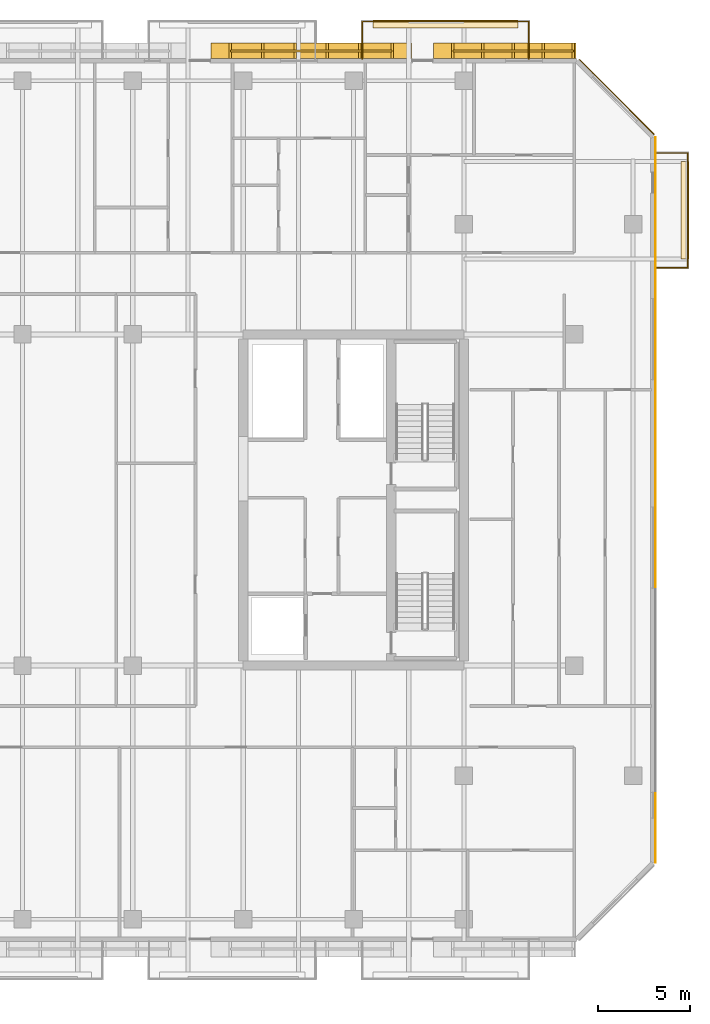
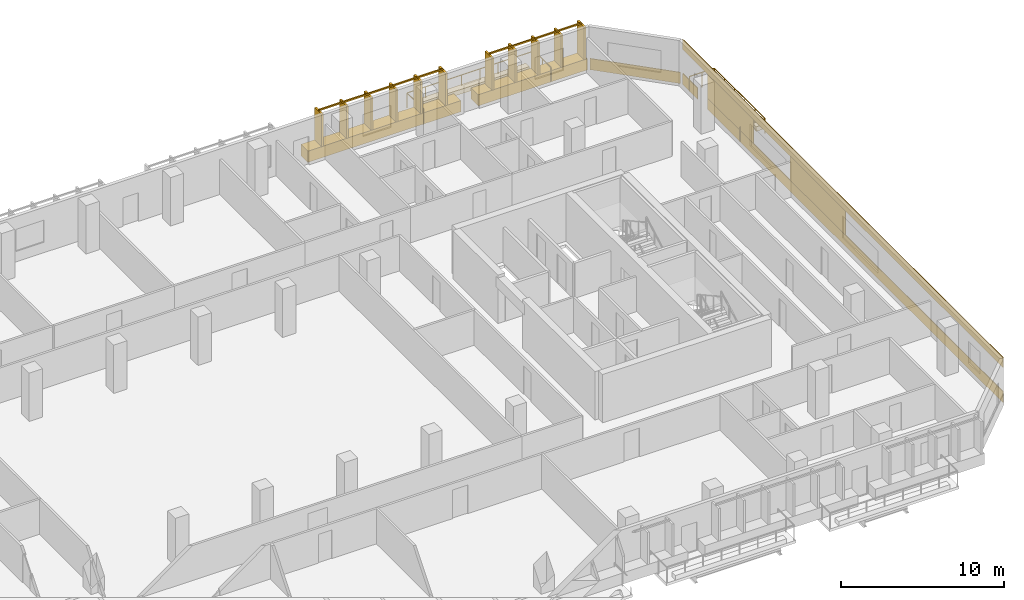
# One storey, part 22 of 22: 10 coverings, 4 railings.
"""IFC4 building model written with IfcOpenShell, lengths in metres."""

from ifc_helpers import new_model, si_unit, direction, frame, origin, origin_2d, place, context, subcontext, project, spatial, polyline, rectangle, outline, extrude, material, layer, layer_set, type_object, element, save


model = new_model("IFC4")

# Units and contexts
model_context = context("Model", 3, precision=1e-05, world=origin(), true_north=direction((0.0, 1.0)))
body_context = subcontext(model_context, "Body", "Model", "MODEL_VIEW")
ifc_project = project(units=[si_unit("LENGTHUNIT", "METRE"), si_unit("AREAUNIT", "SQUARE_METRE"), si_unit("VOLUMEUNIT", "CUBIC_METRE"), si_unit("PLANEANGLEUNIT", "RADIAN"), si_unit("MASSUNIT", "GRAM", prefix="KILO")], contexts=[model_context])

# Site, building, storey
site_placement = place(None, origin())
site = spatial("IfcSite", under=ifc_project, at=site_placement, CompositionType="ELEMENT")
building_placement = place(site_placement, origin())
building = spatial("IfcBuilding", under=site, at=building_placement, Name="Tanjung Sevakor Pilgrim Tower", CompositionType="ELEMENT")
storey_placement = place(building_placement, frame((0.0, 0.0, 115.830078125)))
storey = spatial("IfcBuildingStorey", under=building, at=storey_placement, Name="L32", CompositionType="ELEMENT", Elevation=115.830078125)

# Coverings
ifc_material_1 = material(Name="Reconstructed Limestone Cladding", Category="masonry")
ifc_layer_1 = layer(ifc_material_1, 0.044921875)
ifc_layer_set_1 = layer_set([ifc_layer_1], Name="COV-CLAD-LIMESTONE")
covering_type_1 = type_object("IfcCoveringType", Name="COV-CLAD-LIMESTONE", PredefinedType="CLADDING", material=ifc_layer_set_1)
covering_1_placement = place(storey_placement, frame((100.422607421875, 32.06591796875, 0.009765625), z_axis=(0.0, 0.0, 1.0), x_axis=(0.0, 1.0, 0.0)))
element("IfcCovering", 1, at=covering_1_placement, inside=storey, type_object=covering_type_1, Name="L32 Warm Limestone Sill Spandrel EW-L32-MAIN-7-1", PredefinedType="CLADDING", context=body_context, shape_type="SweptSolid", body=[
    extrude(rectangle(XDim=36.34814453125, YDim=0.044921875, at=origin_2d()), origin(), (0.0, 0.0, 1.0), 0.840087890625),
])
covering_2_placement = place(storey_placement, frame((100.422607421875, 52.384033203125, 0.009765625), z_axis=(0.0, 0.0, 1.0), x_axis=(0.0, 1.0, 0.0)))
element("IfcCovering", 2, at=covering_2_placement, inside=storey, type_object=covering_type_1, Name="L32 Warm Limestone Sill Spandrel EW-L32-MAIN-7-2", PredefinedType="CLADDING", context=body_context, shape_type="SweptSolid", body=[
    extrude(rectangle(XDim=1.84814453125, YDim=0.044921875, at=origin_2d()), origin(), (0.0, 0.0, 1.0), 0.840087890625),
])
covering_3_placement = place(storey_placement, frame((100.422607421875, 33.60009765625, 2.66015625), z_axis=(0.0, 0.0, 1.0), x_axis=(0.0, 1.0, 0.0)))
element("IfcCovering", 3, at=covering_3_placement, inside=storey, type_object=covering_type_1, Name="L32 Warm Limestone Cornice Spandrel EW-L32-MAIN-7", PredefinedType="CLADDING", context=body_context, shape_type="SweptSolid", body=[
    extrude(rectangle(XDim=39.456298828125, YDim=0.044921875, at=origin_2d()), origin(), (0.0, 0.0, 1.0), 0.739990234375),
])
covering_4_placement = place(storey_placement, frame((100.422607421875, 36.679931640625, 0.849853515625), z_axis=(0.0, 0.0, 1.0), x_axis=(0.0, 1.0, 0.0)))
element("IfcCovering", 4, at=covering_4_placement, inside=storey, type_object=covering_type_1, Name="L32 Warm Limestone Pier Panel EW-L32-MAIN-7-2", PredefinedType="CLADDING", context=body_context, shape_type="SweptSolid", body=[
    extrude(rectangle(XDim=6.840087890625, YDim=0.044921875, at=origin_2d()), origin(), (0.0, 0.0, 1.0), 1.81005859375),
])
covering_5_placement = place(storey_placement, frame((100.422607421875, 47.425048828125, 0.849853515625), z_axis=(0.0, 0.0, 1.0), x_axis=(0.0, 1.0, 0.0)))
element("IfcCovering", 5, at=covering_5_placement, inside=storey, type_object=covering_type_1, Name="L32 Warm Limestone Pier Panel EW-L32-MAIN-7-3", PredefinedType="CLADDING", context=body_context, shape_type="SweptSolid", body=[
    extrude(rectangle(XDim=5.64990234375, YDim=0.044921875, at=origin_2d()), origin(), (0.0, 0.0, 1.0), 1.81005859375),
])
covering_6_placement = place(storey_placement, frame((98.31591796875, 55.515869140625, 0.009765625), z_axis=(0.0, 0.0, 1.0), x_axis=(-0.707106781187, 0.707106781187, 0.0)))
element("IfcCovering", 6, at=covering_6_placement, inside=storey, type_object=covering_type_1, Name="L32 Warm Limestone Sill Spandrel EW-CHM-L32-MAIN-7-1", PredefinedType="CLADDING", context=body_context, shape_type="SweptSolid", body=[
    extrude(rectangle(XDim=5.756103515625, YDim=0.044921875, at=origin_2d()), origin(), (0.0, 0.0, 1.0), 0.840087890625),
])
covering_7_placement = place(storey_placement, frame((92.234130859375, 58.030029296875, 0.009765625), z_axis=(0.0, 0.0, 1.0), x_axis=(-1.0, 0.0, 0.0)))
element("IfcCovering", 7, at=covering_7_placement, inside=storey, type_object=covering_type_1, Name="L32 Warm Limestone Sill Spandrel EW-L32-MAIN-9-1", PredefinedType="CLADDING", context=body_context, shape_type="SweptSolid", body=[
    extrude(rectangle(XDim=7.748291015625, YDim=0.860107421875, at=origin_2d()), origin(), (0.0, 0.0, 1.0), 0.840087890625),
])
covering_8_placement = place(storey_placement, frame((81.699951171875, 58.030029296875, 0.009765625), z_axis=(0.0, 0.0, 1.0), x_axis=(-1.0, 0.0, 0.0)))
element("IfcCovering", 8, at=covering_8_placement, inside=storey, type_object=covering_type_1, Name="L32 Warm Limestone Sill Spandrel EW-L32-MAIN-9-2", PredefinedType="CLADDING", context=body_context, shape_type="SweptSolid", body=[
    extrude(rectangle(XDim=10.8798828125, YDim=0.860107421875, at=origin_2d()), origin(), (0.0, 0.0, 1.0), 0.840087890625),
])
ifc_material_2 = material(Name="Vegetated Modular Planter Assembly", Category="organic")
ifc_layer_2 = layer(ifc_material_2, 0.35009765625)
ifc_layer_set_2 = layer_set([ifc_layer_2], Name="COV-GRN-TROUGH")
covering_type_2 = type_object("IfcCoveringType", Name="COV-GRN-TROUGH", PredefinedType="CLADDING", material=ifc_layer_set_2)
covering_9_placement = place(storey_placement, origin())
element("IfcCovering", 9, at=covering_9_placement, inside=storey, type_object=covering_type_2, Name="L32 Planted Landscape Hedge Trough BGRN-L32-MAIN-N4", PredefinedType="CLADDING", context=body_context, shape_type="SweptSolid", body=[
    extrude(outline(polyline([(85.050048828125, 59.260009765625), (92.949951171875, 59.260009765625), (92.949951171875, 59.699951171875), (85.050048828125, 59.699951171875), (85.050048828125, 59.260009765625)])), origin(), (0.0, 0.0, 1.0), 0.349853515625),
])
covering_10_placement = place(storey_placement, origin())
element("IfcCovering", 10, at=covering_10_placement, inside=storey, type_object=covering_type_2, Name="L32 Planted Landscape Hedge Trough BGRN-L32-MAIN-E1", PredefinedType="CLADDING", context=body_context, shape_type="SweptSolid", body=[
    extrude(outline(polyline([(102.25, 46.699951171875), (102.25, 52.0), (101.81005859375, 52.0), (101.81005859375, 46.699951171875), (102.25, 46.699951171875)])), origin(), (0.0, 0.0, 1.0), 0.349853515625),
])

# Railings
ifc_material_3 = material(Name="Laminated Glass and Aluminium", Category="aluminium")
railing_type_1 = type_object("IfcRailingType", Name="RL-BAL-BALUST", PredefinedType="BALUSTRADE", material=ifc_material_3)
railing_1_placement = place(storey_placement, frame((84.47998046875, 57.60009765625, 0.0)))
element("IfcRailing", 11, at=railing_1_placement, inside=storey, type_object=railing_type_1, Name="L32 Loggia Balustrade MAIN-N4", PredefinedType="BALUSTRADE", context=body_context, shape_type="SweptSolid", body=[
    extrude(rectangle(XDim=0.0479, YDim=0.0479), frame((0.0, 0.0, 1.1259765625), z_axis=(0.0, 1.0, 0.0), x_axis=(-1.0, 0.0, 0.0)), (0.0, 0.0, 1.0), 2.02001953125),
    extrude(rectangle(XDim=0.0479, YDim=0.0479), frame((0.0, 2.02001953125, 1.1259765625), z_axis=(1.0, 0.0, 0.0), x_axis=(0.0, 1.0, 0.0)), (0.0, 0.0, 1.0), 9.0400390625),
    extrude(rectangle(XDim=0.0479, YDim=0.0479), frame((9.0400390625, 2.02001953125, 1.1259765625), z_axis=(0.0, -1.0, 0.0), x_axis=(1.0, 0.0, 0.0)), (0.0, 0.0, 1.0), 2.02001953125),
    extrude(rectangle(XDim=0.042, YDim=0.042), origin(), (0.0, 0.0, 1.0), 1.101806640625),
    extrude(rectangle(XDim=0.042, YDim=0.042), frame((0.0, 1.010009765625, 0.0)), (0.0, 0.0, 1.0), 1.101806640625),
    extrude(rectangle(XDim=0.042, YDim=0.042), frame((0.0, 2.02001953125, 0.0)), (0.0, 0.0, 1.0), 1.101806640625),
    extrude(rectangle(XDim=0.042, YDim=0.042), frame((1.29150390625, 2.02001953125, 0.0)), (0.0, 0.0, 1.0), 1.101806640625),
    extrude(rectangle(XDim=0.042, YDim=0.042), frame((2.582763671875, 2.02001953125, 0.0)), (0.0, 0.0, 1.0), 1.101806640625),
    extrude(rectangle(XDim=0.042, YDim=0.042), frame((3.874267578125, 2.02001953125, 0.0)), (0.0, 0.0, 1.0), 1.101806640625),
    extrude(rectangle(XDim=0.042, YDim=0.042), frame((5.165771484375, 2.02001953125, 0.0)), (0.0, 0.0, 1.0), 1.101806640625),
    extrude(rectangle(XDim=0.042, YDim=0.042), frame((6.457275390625, 2.02001953125, 0.0)), (0.0, 0.0, 1.0), 1.101806640625),
    extrude(rectangle(XDim=0.042, YDim=0.042), frame((7.74853515625, 2.02001953125, 0.0)), (0.0, 0.0, 1.0), 1.101806640625),
    extrude(rectangle(XDim=0.042, YDim=0.042), frame((9.0400390625, 2.02001953125, 0.0)), (0.0, 0.0, 1.0), 1.101806640625),
    extrude(rectangle(XDim=0.042, YDim=0.042), frame((9.0400390625, 1.010009765625, 0.0)), (0.0, 0.0, 1.0), 1.101806640625),
    extrude(rectangle(XDim=0.042, YDim=0.042), frame((9.0400390625, 0.0, 0.0)), (0.0, 0.0, 1.0), 1.101806640625),
])
railing_2_placement = place(storey_placement, frame((100.39990234375, 46.22998046875, 0.0)))
element("IfcRailing", 12, at=railing_2_placement, inside=storey, type_object=railing_type_1, Name="L32 Loggia Balustrade MAIN-E1", PredefinedType="BALUSTRADE", context=body_context, shape_type="SweptSolid", body=[
    extrude(rectangle(XDim=0.0479, YDim=0.0479), frame((0.0, 0.0, 1.1259765625), z_axis=(1.0, 0.0, 0.0), x_axis=(0.0, 1.0, 0.0)), (0.0, 0.0, 1.0), 1.77001953125),
    extrude(rectangle(XDim=0.0479, YDim=0.0479), frame((1.77001953125, 0.0, 1.1259765625), z_axis=(0.0, 1.0, 0.0), x_axis=(-1.0, 0.0, 0.0)), (0.0, 0.0, 1.0), 6.239990234375),
    extrude(rectangle(XDim=0.0479, YDim=0.0479), frame((1.77001953125, 6.239990234375, 1.1259765625), z_axis=(-1.0, 0.0, 0.0), x_axis=(0.0, -1.0, 0.0)), (0.0, 0.0, 1.0), 1.77001953125),
    extrude(rectangle(XDim=0.042, YDim=0.042), origin(), (0.0, 0.0, 1.0), 1.101806640625),
    extrude(rectangle(XDim=0.042, YDim=0.042), frame((0.885009765625, 0.0, 0.0)), (0.0, 0.0, 1.0), 1.101806640625),
    extrude(rectangle(XDim=0.042, YDim=0.042), frame((1.77001953125, 0.0, 0.0)), (0.0, 0.0, 1.0), 1.101806640625),
    extrude(rectangle(XDim=0.042, YDim=0.042), frame((1.77001953125, 1.248046875, 0.0)), (0.0, 0.0, 1.0), 1.101806640625),
    extrude(rectangle(XDim=0.042, YDim=0.042), frame((1.77001953125, 2.49609375, 0.0)), (0.0, 0.0, 1.0), 1.101806640625),
    extrude(rectangle(XDim=0.042, YDim=0.042), frame((1.77001953125, 3.743896484375, 0.0)), (0.0, 0.0, 1.0), 1.101806640625),
    extrude(rectangle(XDim=0.042, YDim=0.042), frame((1.77001953125, 4.991943359375, 0.0)), (0.0, 0.0, 1.0), 1.101806640625),
    extrude(rectangle(XDim=0.042, YDim=0.042), frame((1.77001953125, 6.239990234375, 0.0)), (0.0, 0.0, 1.0), 1.101806640625),
    extrude(rectangle(XDim=0.042, YDim=0.042), frame((0.885009765625, 6.239990234375, 0.0)), (0.0, 0.0, 1.0), 1.101806640625),
    extrude(rectangle(XDim=0.042, YDim=0.042), frame((0.0, 6.239990234375, 0.0)), (0.0, 0.0, 1.0), 1.101806640625),
])
ifc_material_4 = material(Name="Anodised Bronze Aluminium 6063-T6", Category="aluminium")
railing_type_2 = type_object("IfcRailingType", Name="RL-FIN-SCREEN", PredefinedType="BALUSTRADE", material=ifc_material_4)
railing_3_placement = place(storey_placement, frame((95.9482421875, 58.02490234375, 0.83984375)))
element("IfcRailing", 13, at=railing_3_placement, inside=storey, type_object=railing_type_2, Name="L32 Vertical Bronze-Gold Solar Fin Screen FNSCR-EW-L32-MAIN-9-1", PredefinedType="BALUSTRADE", context=body_context, shape_type="SweptSolid", body=[
    extrude(rectangle(XDim=0.105, YDim=0.105), frame((0.0, 0.0, 2.487548828125), z_axis=(-1.0, 0.0, 0.0), x_axis=(0.0, -1.0, 0.0)), (0.0, 0.0, 1.0), 6.54833984375),
    extrude(rectangle(XDim=0.14, YDim=0.85), origin(), (0.0, 0.0, 1.0), 2.43505859375),
    extrude(rectangle(XDim=0.14, YDim=0.85), frame((-1.63720703125, 0.0, 0.0)), (0.0, 0.0, 1.0), 2.43505859375),
    extrude(rectangle(XDim=0.14, YDim=0.85), frame((-3.274169921875, 0.0, 0.0)), (0.0, 0.0, 1.0), 2.43505859375),
    extrude(rectangle(XDim=0.14, YDim=0.85), frame((-4.9111328125, 0.0, 0.0)), (0.0, 0.0, 1.0), 2.43505859375),
    extrude(rectangle(XDim=0.14, YDim=0.85), frame((-6.54833984375, 0.0, 0.0)), (0.0, 0.0, 1.0), 2.43505859375),
])
railing_4_placement = place(storey_placement, frame((86.10009765625, 58.02490234375, 0.83984375)))
element("IfcRailing", 14, at=railing_4_placement, inside=storey, type_object=railing_type_2, Name="L32 Vertical Bronze-Gold Solar Fin Screen FNSCR-EW-L32-MAIN-9-2", PredefinedType="BALUSTRADE", context=body_context, shape_type="SweptSolid", body=[
    extrude(rectangle(XDim=0.105, YDim=0.105), frame((0.0, 0.0, 2.487548828125), z_axis=(-1.0, 0.0, 0.0), x_axis=(0.0, -1.0, 0.0)), (0.0, 0.0, 1.0), 8.800048828125),
    extrude(rectangle(XDim=0.14, YDim=0.85), origin(), (0.0, 0.0, 1.0), 2.43505859375),
    extrude(rectangle(XDim=0.14, YDim=0.85), frame((-1.760009765625, 0.0, 0.0)), (0.0, 0.0, 1.0), 2.43505859375),
    extrude(rectangle(XDim=0.14, YDim=0.85), frame((-3.52001953125, 0.0, 0.0)), (0.0, 0.0, 1.0), 2.43505859375),
    extrude(rectangle(XDim=0.14, YDim=0.85), frame((-5.280029296875, 0.0, 0.0)), (0.0, 0.0, 1.0), 2.43505859375),
    extrude(rectangle(XDim=0.14, YDim=0.85), frame((-7.0400390625, 0.0, 0.0)), (0.0, 0.0, 1.0), 2.43505859375),
    extrude(rectangle(XDim=0.14, YDim=0.85), frame((-8.800048828125, 0.0, 0.0)), (0.0, 0.0, 1.0), 2.43505859375),
])

save(model, "model.ifc")
